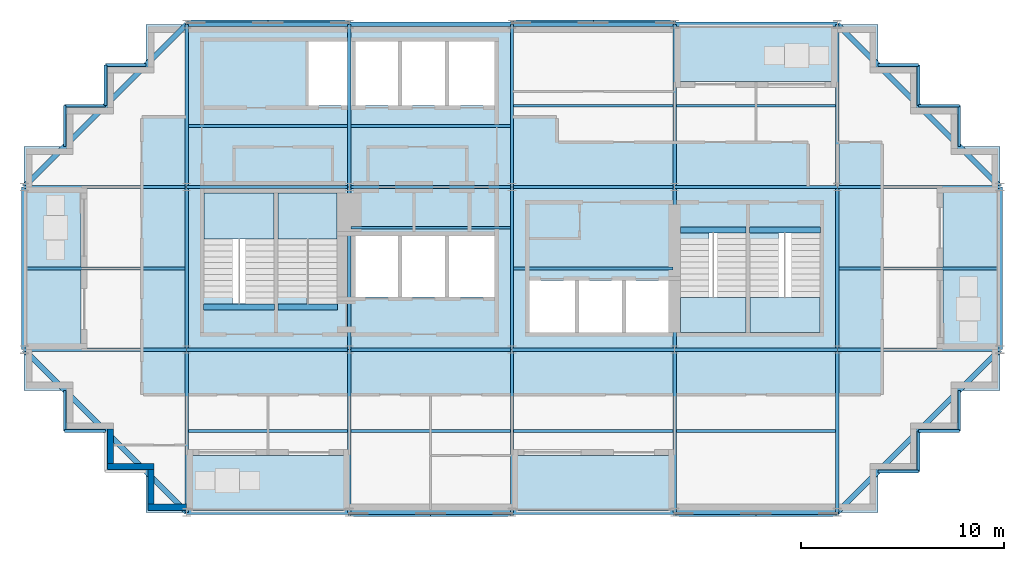
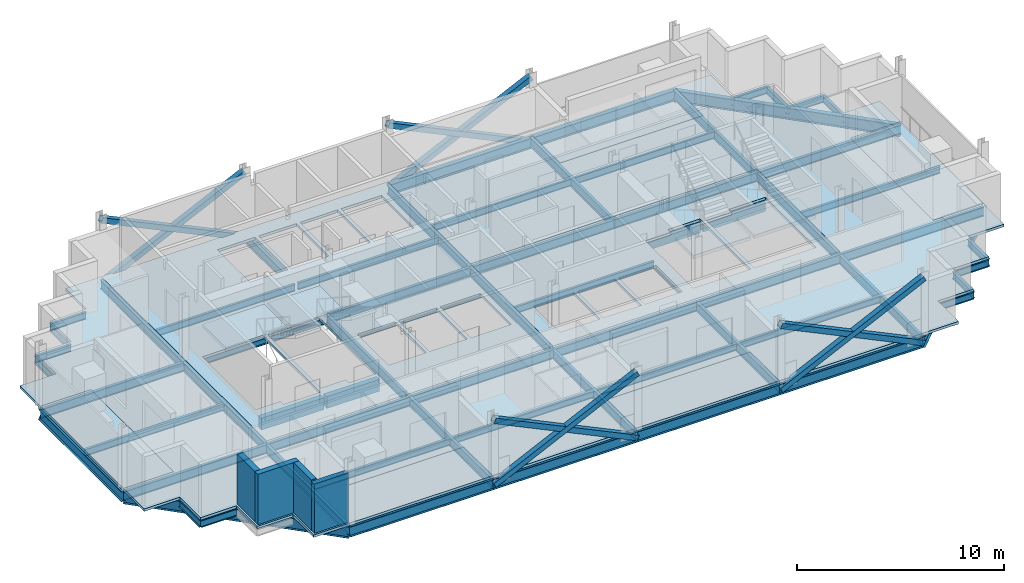
# One storey, part 3 of 10: 71 beams, 12 slabs, 8 members, 4 walls, 4 elements without a shape of their own.
"""IFC4 building model written with IfcOpenShell, lengths in metres."""

from ifc_helpers import new_model, si_unit, direction, frame, frame_2d, origin, origin_2d, place, context, subcontext, project, spatial, polyline, rectangle, hollow_rectangle, i_section, outline, extrude, material, layer, layer_set, material_profile, profile_set, type_object, element, aggregate, save


model = new_model("IFC4")

# Units and contexts
model_context = context("Model", 3, precision=1e-05, world=origin(), true_north=direction((0.0, 1.0)))
body_context = subcontext(model_context, "Body", "Model", "MODEL_VIEW")
ifc_project = project(units=[si_unit("LENGTHUNIT", "METRE"), si_unit("AREAUNIT", "SQUARE_METRE"), si_unit("VOLUMEUNIT", "CUBIC_METRE"), si_unit("PLANEANGLEUNIT", "RADIAN"), si_unit("MASSUNIT", "GRAM", prefix="KILO")], contexts=[model_context])

# Site, building, storey
site_placement = place(None, origin())
site = spatial("IfcSite", under=ifc_project, at=site_placement, CompositionType="ELEMENT")
building_placement = place(site_placement, origin())
building = spatial("IfcBuilding", under=site, at=building_placement, Name="Immortelle Media Tower", CompositionType="ELEMENT")
storey_placement = place(building_placement, frame((0.0, 0.0, 237.0)))
storey = spatial("IfcBuildingStorey", under=building, at=storey_placement, Name="L51", CompositionType="ELEMENT", Elevation=237.0)

# Members
ifc_material_1 = material(Name="Steel ASTM A500 Gr C", Category="steel")
ifc_material_profile_1 = material_profile(ifc_material_1, hollow_rectangle(XDim=0.304931640625, YDim=0.304931640625, WallThickness=0.011962890625, at=origin_2d()), Name="HSS12x12x1/2 brace")
ifc_profile_set_1 = profile_set([ifc_material_profile_1], Name="Steel ASTM A500 Gr C")
member_type = type_object("IfcMemberType", Name="HSS12x12x1/2 brace", PredefinedType="BRACE", material=ifc_profile_set_1)
for number, where, z_axis, x_axis, name in (
    (1, (16.0, -0.0625, -0.4560546875), (0.902569595965, 0.0, 0.430543986649), (0.0, 1.0, 0.0), "Brace A/3-4 A"),
    (2, (16.0, -0.0625, 3.360107421875), (0.902569595965, 0.0, -0.430543986649), (0.0, 1.0, 0.0), "Brace A/3-4 B"),
    (3, (32.0, -0.0625, -0.4560546875), (0.902569595965, 0.0, 0.430543986649), (0.0, 1.0, 0.0), "Brace A/5-6 A"),
    (4, (32.0, -0.0625, 3.360107421875), (0.902569595965, 0.0, -0.430543986649), (0.0, 1.0, 0.0), "Brace A/5-6 B"),
    (5, (32.0, 24.0625, -0.4560546875), (-0.902569595965, 0.0, 0.430543986649), (0.0, -1.0, 0.0), "Brace D/4-5 A"),
    (6, (32.0, 24.0625, 3.360107421875), (-0.902569595965, 0.0, -0.430543986649), (0.0, -1.0, 0.0), "Brace D/4-5 B"),
    (7, (16.0, 24.0625, -0.4560546875), (-0.902569595965, 0.0, 0.430543986649), (0.0, -1.0, 0.0), "Brace D/2-3 A"),
    (8, (16.0, 24.0625, 3.360107421875), (-0.902569595965, 0.0, -0.430543986649), (0.0, -1.0, 0.0), "Brace D/2-3 B"),
):
    element("IfcMember", number, at=place(storey_placement, frame(where, z_axis=z_axis, x_axis=x_axis)), inside=storey, type_object=member_type, Name=name, PredefinedType="BRACE", context=body_context, shape_type="SweptSolid", body=[
        extrude(hollow_rectangle(XDim=0.304931640625, YDim=0.304931640625, WallThickness=0.011962890625, at=origin_2d()), origin(), (0.0, 0.0, 1.0), 8.863525390625),
    ])

# Beams
ifc_material_2 = material(Name="Concrete C50/60", Category="concrete")
ifc_material_profile_2 = material_profile(ifc_material_2, rectangle(XDim=0.300048828125, YDim=0.699951171875, at=origin_2d()), Name="RC 300x700")
ifc_profile_set_2 = profile_set([ifc_material_profile_2], Name="Concrete C50/60")
beam_type_1 = type_object("IfcBeamType", Name="Stair trimmer beam 300 x 700", PredefinedType="BEAM", material=ifc_profile_set_2)
beam_1_placement = place(storey_placement, frame((8.830078125, 10.10498046875, -0.5), z_axis=(1.0, 0.0, 0.0), x_axis=(0.0, 1.0, 0.0)))
element("IfcBeam", 9, at=beam_1_placement, inside=storey, type_object=beam_type_1, Name="Stair trimmer beam SW1", PredefinedType="BEAM", context=body_context, shape_type="SweptSolid", body=[
    extrude(rectangle(XDim=0.300048828125, YDim=0.699951171875, at=origin_2d()), origin(), (0.0, 0.0, 1.0), 3.489990234375),
])
beam_2_placement = place(storey_placement, frame((12.47998046875, 10.10498046875, -0.5), z_axis=(1.0, 0.0, 0.0), x_axis=(0.0, 1.0, 0.0)))
element("IfcBeam", 10, at=beam_2_placement, inside=storey, type_object=beam_type_1, Name="Stair trimmer beam SW2", PredefinedType="BEAM", context=body_context, shape_type="SweptSolid", body=[
    extrude(rectangle(XDim=0.300048828125, YDim=0.699951171875, at=origin_2d()), origin(), (0.0, 0.0, 1.0), 2.93994140625),
])
beam_3_placement = place(storey_placement, frame((32.280029296875, 13.89501953125, -0.5), z_axis=(1.0, 0.0, 0.0), x_axis=(0.0, 1.0, 0.0)))
element("IfcBeam", 11, at=beam_3_placement, inside=storey, type_object=beam_type_1, Name="Stair trimmer beam SE1", PredefinedType="BEAM", context=body_context, shape_type="SweptSolid", body=[
    extrude(rectangle(XDim=0.300048828125, YDim=0.699951171875, at=origin_2d()), origin(), (0.0, 0.0, 1.0), 3.239990234375),
])
beam_4_placement = place(storey_placement, frame((35.679931640625, 13.89501953125, -0.5), z_axis=(1.0, 0.0, 0.0), x_axis=(0.0, 1.0, 0.0)))
element("IfcBeam", 12, at=beam_4_placement, inside=storey, type_object=beam_type_1, Name="Stair trimmer beam SE2", PredefinedType="BEAM", context=body_context, shape_type="SweptSolid", body=[
    extrude(rectangle(XDim=0.300048828125, YDim=0.699951171875, at=origin_2d()), origin(), (0.0, 0.0, 1.0), 3.489990234375),
])
ifc_material_3 = material(Name="Steel ASTM A992 Gr 50", Category="steel")
ifc_material_profile_3 = material_profile(ifc_material_3, i_section(OverallWidth=0.139892578125, OverallDepth=0.404052734375, WebThickness=0.007080078125, FlangeThickness=0.010986328125, at=origin_2d()), Name="W16x31")
ifc_profile_set_3 = profile_set([ifc_material_profile_3], Name="Steel ASTM A992 Gr 50")
beam_type_2 = type_object("IfcBeamType", Name="W16x31 secondary beam", PredefinedType="JOIST", material=ifc_profile_set_3)
for number, where, z_axis, x_axis, name in (
    (13, (8.08349609375, 4.0, -0.35205078125), (1.0, 0.0, 0.0), (0.0, 1.0, 0.0), "Beam A-B/2-3"),
    (14, (16.08349609375, 4.0, -0.35205078125), (1.0, 0.0, 0.0), (0.0, 1.0, 0.0), "Beam A-B/3-4"),
    (15, (24.08349609375, 4.0, -0.35205078125), (1.0, 0.0, 0.0), (0.0, 1.0, 0.0), "Beam A-B/4-5"),
    (16, (32.08349609375, 4.0, -0.35205078125), (1.0, 0.0, 0.0), (0.0, 1.0, 0.0), "Beam A-B/5-6"),
):
    element("IfcBeam", number, at=place(storey_placement, frame(where, z_axis=z_axis, x_axis=x_axis)), inside=storey, type_object=beam_type_2, Name=name, PredefinedType="JOIST", context=body_context, shape_type="SweptSolid", body=[
        extrude(i_section(OverallWidth=0.139892578125, OverallDepth=0.404052734375, WebThickness=0.007080078125, FlangeThickness=0.010986328125, at=origin_2d()), origin(), (0.0, 0.0, 1.0), 7.8330078125),
    ])
beam_5_placement = place(storey_placement, frame((0.114501953125, 12.0, -0.35205078125), z_axis=(1.0, 0.0, 0.0), x_axis=(0.0, 1.0, 0.0)))
element("IfcBeam", 17, at=beam_5_placement, inside=storey, type_object=beam_type_2, Name="Beam B-C/1-2", PredefinedType="JOIST", context=body_context, shape_type="SweptSolid", body=[
    extrude(i_section(OverallWidth=0.139892578125, OverallDepth=0.404052734375, WebThickness=0.007080078125, FlangeThickness=0.010986328125, at=origin_2d()), origin(), (0.0, 0.0, 1.0), 7.802001953125),
])
for number, where, z_axis, x_axis, name in (
    (18, (16.08349609375, 14.0, -0.35205078125), (1.0, 0.0, 0.0), (0.0, 1.0, 0.0), "Beam B-C/3-4"),
    (19, (24.08349609375, 12.0, -0.35205078125), (1.0, 0.0, 0.0), (0.0, 1.0, 0.0), "Beam B-C/4-5"),
):
    element("IfcBeam", number, at=place(storey_placement, frame(where, z_axis=z_axis, x_axis=x_axis)), inside=storey, type_object=beam_type_2, Name=name, PredefinedType="JOIST", context=body_context, shape_type="SweptSolid", body=[
        extrude(i_section(OverallWidth=0.139892578125, OverallDepth=0.404052734375, WebThickness=0.007080078125, FlangeThickness=0.010986328125, at=origin_2d()), origin(), (0.0, 0.0, 1.0), 7.8330078125),
    ])
beam_6_placement = place(storey_placement, frame((40.08349609375, 12.0, -0.35205078125), z_axis=(1.0, 0.0, 0.0), x_axis=(0.0, 1.0, 0.0)))
element("IfcBeam", 20, at=beam_6_placement, inside=storey, type_object=beam_type_2, Name="Beam B-C/6-7", PredefinedType="JOIST", context=body_context, shape_type="SweptSolid", body=[
    extrude(i_section(OverallWidth=0.139892578125, OverallDepth=0.404052734375, WebThickness=0.007080078125, FlangeThickness=0.010986328125, at=origin_2d()), origin(), (0.0, 0.0, 1.0), 7.802001953125),
])
for number, where, z_axis, x_axis, name in (
    (21, (8.08349609375, 19.0, -0.35205078125), (1.0, 0.0, 0.0), (0.0, 1.0, 0.0), "Beam C-D/2-3"),
    (22, (16.08349609375, 19.0, -0.35205078125), (1.0, 0.0, 0.0), (0.0, 1.0, 0.0), "Beam C-D/3-4"),
    (23, (24.08349609375, 20.0, -0.35205078125), (1.0, 0.0, 0.0), (0.0, 1.0, 0.0), "Beam C-D/4-5"),
    (24, (32.08349609375, 20.0, -0.35205078125), (1.0, 0.0, 0.0), (0.0, 1.0, 0.0), "Beam C-D/5-6"),
):
    element("IfcBeam", number, at=place(storey_placement, frame(where, z_axis=z_axis, x_axis=x_axis)), inside=storey, type_object=beam_type_2, Name=name, PredefinedType="JOIST", context=body_context, shape_type="SweptSolid", body=[
        extrude(i_section(OverallWidth=0.139892578125, OverallDepth=0.404052734375, WebThickness=0.007080078125, FlangeThickness=0.010986328125, at=origin_2d()), origin(), (0.0, 0.0, 1.0), 7.8330078125),
    ])
ifc_material_profile_4 = material_profile(ifc_material_3, i_section(OverallWidth=0.139892578125, OverallDepth=0.404052734375, WebThickness=0.007080078125, FlangeThickness=0.010986328125, at=origin_2d()), Name="W16x31")
ifc_profile_set_4 = profile_set([ifc_material_profile_4], Name="Steel ASTM A992 Gr 50")
beam_type_3 = type_object("IfcBeamType", Name="W16x31 serration edge beam", PredefinedType="SPANDREL", material=ifc_profile_set_4)
for number, where, z_axis, x_axis, name in (
    (25, (4.0, 4.0, -0.35205078125), (-1.0, 0.0, 0.0), (0.0, -1.0, 0.0), "Corner edge beam 3 at 1/A"),
    (26, (2.0, 4.0, -0.35205078125), (0.0, 1.0, 0.0), (-1.0, 0.0, 0.0), "Corner edge beam 4 at 1/A"),
    (27, (2.0, 18.0, -0.35205078125), (0.0, 1.0, 0.0), (-1.0, 0.0, 0.0), "Corner edge beam 1 at 1/D"),
    (28, (2.0, 20.0, -0.35205078125), (1.0, 0.0, 0.0), (0.0, 1.0, 0.0), "Corner edge beam 2 at 1/D"),
    (29, (4.0, 20.0, -0.35205078125), (0.0, 1.0, 0.0), (-1.0, 0.0, 0.0), "Corner edge beam 3 at 1/D"),
    (30, (4.0, 22.0, -0.35205078125), (1.0, 0.0, 0.0), (0.0, 1.0, 0.0), "Corner edge beam 4 at 1/D"),
    (31, (46.0, 6.0, -0.35205078125), (0.0, -1.0, 0.0), (1.0, 0.0, 0.0), "Corner edge beam 1 at 7/A"),
    (32, (46.0, 4.0, -0.35205078125), (-1.0, 0.0, 0.0), (0.0, -1.0, 0.0), "Corner edge beam 2 at 7/A"),
    (33, (44.0, 4.0, -0.35205078125), (0.0, -1.0, 0.0), (1.0, 0.0, 0.0), "Corner edge beam 3 at 7/A"),
    (34, (44.0, 2.0, -0.35205078125), (-1.0, 0.0, 0.0), (0.0, -1.0, 0.0), "Corner edge beam 4 at 7/A"),
    (35, (42.0, 22.0, -0.35205078125), (1.0, 0.0, 0.0), (0.0, 1.0, 0.0), "Corner edge beam 1 at 7/D"),
    (36, (44.0, 22.0, -0.35205078125), (0.0, -1.0, 0.0), (1.0, 0.0, 0.0), "Corner edge beam 2 at 7/D"),
    (37, (44.0, 20.0, -0.35205078125), (1.0, 0.0, 0.0), (0.0, 1.0, 0.0), "Corner edge beam 3 at 7/D"),
    (38, (46.0, 20.0, -0.35205078125), (0.0, -1.0, 0.0), (1.0, 0.0, 0.0), "Corner edge beam 4 at 7/D"),
):
    element("IfcBeam", number, at=place(storey_placement, frame(where, z_axis=z_axis, x_axis=x_axis)), inside=storey, type_object=beam_type_3, Name=name, PredefinedType="SPANDREL", context=body_context, shape_type="SweptSolid", body=[
        extrude(i_section(OverallWidth=0.139892578125, OverallDepth=0.404052734375, WebThickness=0.007080078125, FlangeThickness=0.010986328125, at=origin_2d()), origin(), (0.0, 0.0, 1.0), 2.0),
    ])
ifc_material_profile_5 = material_profile(ifc_material_3, i_section(OverallWidth=0.1669921875, OverallDepth=0.535888671875, WebThickness=0.010009765625, FlangeThickness=0.01708984375, at=origin_2d()), Name="W21x57")
ifc_profile_set_5 = profile_set([ifc_material_profile_5], Name="Steel ASTM A992 Gr 50")
beam_type_4 = type_object("IfcBeamType", Name="W21x57 girder", PredefinedType="BEAM", material=ifc_profile_set_5)
for number, where, z_axis, x_axis, name in (
    (39, (0.0, 8.0, -0.41796875), (1.0, 0.0, 0.0), (0.0, 1.0, 0.0), "Girder B/1-2"),
    (40, (0.0, 16.0, -0.41796875), (1.0, 0.0, 0.0), (0.0, 1.0, 0.0), "Girder C/1-2"),
    (41, (8.0, 0.0, -0.41796875), (0.0, 1.0, 0.0), (-1.0, 0.0, 0.0), "Girder 2/A-B"),
    (42, (8.0, 8.0, -0.41796875), (1.0, 0.0, 0.0), (0.0, 1.0, 0.0), "Girder B/2-3"),
    (43, (8.0, 8.0, -0.41796875), (0.0, 1.0, 0.0), (-1.0, 0.0, 0.0), "Girder 2/B-C"),
    (44, (8.0, 16.0, -0.41796875), (1.0, 0.0, 0.0), (0.0, 1.0, 0.0), "Girder C/2-3"),
    (45, (8.0, 16.0, -0.41796875), (0.0, 1.0, 0.0), (-1.0, 0.0, 0.0), "Girder 2/C-D"),
    (46, (16.0, 0.0, -0.41796875), (0.0, 1.0, 0.0), (-1.0, 0.0, 0.0), "Girder 3/A-B"),
    (47, (16.0, 8.0, -0.41796875), (1.0, 0.0, 0.0), (0.0, 1.0, 0.0), "Girder B/3-4"),
    (48, (16.0, 8.0, -0.41796875), (0.0, 1.0, 0.0), (-1.0, 0.0, 0.0), "Girder 3/B-C"),
    (49, (16.0, 16.0, -0.41796875), (1.0, 0.0, 0.0), (0.0, 1.0, 0.0), "Girder C/3-4"),
    (50, (16.0, 16.0, -0.41796875), (0.0, 1.0, 0.0), (-1.0, 0.0, 0.0), "Girder 3/C-D"),
    (51, (24.0, 0.0, -0.41796875), (0.0, 1.0, 0.0), (-1.0, 0.0, 0.0), "Girder 4/A-B"),
    (52, (24.0, 8.0, -0.41796875), (1.0, 0.0, 0.0), (0.0, 1.0, 0.0), "Girder B/4-5"),
    (53, (24.0, 8.0, -0.41796875), (0.0, 1.0, 0.0), (-1.0, 0.0, 0.0), "Girder 4/B-C"),
    (54, (24.0, 16.0, -0.41796875), (1.0, 0.0, 0.0), (0.0, 1.0, 0.0), "Girder C/4-5"),
    (55, (24.0, 16.0, -0.41796875), (0.0, 1.0, 0.0), (-1.0, 0.0, 0.0), "Girder 4/C-D"),
    (56, (32.0, 0.0, -0.41796875), (0.0, 1.0, 0.0), (-1.0, 0.0, 0.0), "Girder 5/A-B"),
    (57, (32.0, 8.0, -0.41796875), (1.0, 0.0, 0.0), (0.0, 1.0, 0.0), "Girder B/5-6"),
    (58, (32.0, 8.0, -0.41796875), (0.0, 1.0, 0.0), (-1.0, 0.0, 0.0), "Girder 5/B-C"),
    (59, (32.0, 16.0, -0.41796875), (1.0, 0.0, 0.0), (0.0, 1.0, 0.0), "Girder C/5-6"),
    (60, (32.0, 16.0, -0.41796875), (0.0, 1.0, 0.0), (-1.0, 0.0, 0.0), "Girder 5/C-D"),
    (61, (40.0, 0.0, -0.41796875), (0.0, 1.0, 0.0), (-1.0, 0.0, 0.0), "Girder 6/A-B"),
    (62, (40.0, 8.0, -0.41796875), (1.0, 0.0, 0.0), (0.0, 1.0, 0.0), "Girder B/6-7"),
    (63, (40.0, 8.0, -0.41796875), (0.0, 1.0, 0.0), (-1.0, 0.0, 0.0), "Girder 6/B-C"),
    (64, (40.0, 16.0, -0.41796875), (1.0, 0.0, 0.0), (0.0, 1.0, 0.0), "Girder C/6-7"),
    (65, (40.0, 16.0, -0.41796875), (0.0, 1.0, 0.0), (-1.0, 0.0, 0.0), "Girder 6/C-D"),
):
    element("IfcBeam", number, at=place(storey_placement, frame(where, z_axis=z_axis, x_axis=x_axis)), inside=storey, type_object=beam_type_4, Name=name, PredefinedType="BEAM", context=body_context, shape_type="SweptSolid", body=[
        extrude(i_section(OverallWidth=0.1669921875, OverallDepth=0.535888671875, WebThickness=0.010009765625, FlangeThickness=0.01708984375, at=origin_2d()), origin(), (0.0, 0.0, 1.0), 8.0),
    ])
ifc_material_profile_6 = material_profile(ifc_material_3, i_section(OverallWidth=0.22900390625, OverallDepth=0.612060546875, WebThickness=0.011962890625, FlangeThickness=0.02001953125, at=origin_2d()), Name="W24x84")
ifc_profile_set_6 = profile_set([ifc_material_profile_6], Name="Steel ASTM A992 Gr 50")
beam_type_5 = type_object("IfcBeamType", Name="W24x84 perimeter girder", PredefinedType="SPANDREL", material=ifc_profile_set_6)
for number, where, z_axis, x_axis, name in (
    (66, (0.0, 8.0, -0.4560546875), (0.0, 1.0, 0.0), (-1.0, 0.0, 0.0), "Girder 1/B-C"),
    (67, (8.0, 0.0, -0.4560546875), (1.0, 0.0, 0.0), (0.0, 1.0, 0.0), "Girder A/2-3"),
    (68, (8.0, 24.0, -0.4560546875), (1.0, 0.0, 0.0), (0.0, 1.0, 0.0), "Girder D/2-3"),
    (69, (16.0, 0.0, -0.4560546875), (1.0, 0.0, 0.0), (0.0, 1.0, 0.0), "Girder A/3-4"),
    (70, (16.0, 24.0, -0.4560546875), (1.0, 0.0, 0.0), (0.0, 1.0, 0.0), "Girder D/3-4"),
    (71, (24.0, 0.0, -0.4560546875), (1.0, 0.0, 0.0), (0.0, 1.0, 0.0), "Girder A/4-5"),
    (72, (24.0, 24.0, -0.4560546875), (1.0, 0.0, 0.0), (0.0, 1.0, 0.0), "Girder D/4-5"),
    (73, (32.0, 0.0, -0.4560546875), (1.0, 0.0, 0.0), (0.0, 1.0, 0.0), "Girder A/5-6"),
    (74, (32.0, 24.0, -0.4560546875), (1.0, 0.0, 0.0), (0.0, 1.0, 0.0), "Girder D/5-6"),
    (75, (48.0, 8.0, -0.4560546875), (0.0, 1.0, 0.0), (-1.0, 0.0, 0.0), "Girder 7/B-C"),
):
    element("IfcBeam", number, at=place(storey_placement, frame(where, z_axis=z_axis, x_axis=x_axis)), inside=storey, type_object=beam_type_5, Name=name, PredefinedType="SPANDREL", context=body_context, shape_type="SweptSolid", body=[
        extrude(i_section(OverallWidth=0.22900390625, OverallDepth=0.612060546875, WebThickness=0.011962890625, FlangeThickness=0.02001953125, at=origin_2d()), origin(), (0.0, 0.0, 1.0), 8.0),
    ])
ifc_material_profile_7 = material_profile(ifc_material_3, i_section(OverallWidth=0.2529296875, OverallDepth=0.677978515625, WebThickness=0.011962890625, FlangeThickness=0.01611328125, at=origin_2d()), Name="W27x84")
ifc_profile_set_7 = profile_set([ifc_material_profile_7], Name="Steel ASTM A992 Gr 50")
beam_type_6 = type_object("IfcBeamType", Name="W27x84 corner girder", PredefinedType="SPANDREL", material=ifc_profile_set_7)
for number, where, z_axis, x_axis, name in (
    (76, (8.0, 0.0, -0.489013671875), (-0.707106781187, 0.707106781187, 0.0), (-0.707106781187, -0.707106781187, 0.0), "Corner girder at 1/A"),
    (77, (0.0, 16.0, -0.489013671875), (0.707106781187, 0.707106781187, 0.0), (-0.707106781187, 0.707106781187, 0.0), "Corner girder at 1/D"),
    (78, (48.0, 8.0, -0.489013671875), (-0.707106781187, -0.707106781187, 0.0), (0.707106781187, -0.707106781187, 0.0), "Corner girder at 7/A"),
    (79, (40.0, 24.0, -0.489013671875), (0.707106781187, -0.707106781187, 0.0), (0.707106781187, 0.707106781187, 0.0), "Corner girder at 7/D"),
):
    element("IfcBeam", number, at=place(storey_placement, frame(where, z_axis=z_axis, x_axis=x_axis)), inside=storey, type_object=beam_type_6, Name=name, PredefinedType="SPANDREL", context=body_context, shape_type="SweptSolid", body=[
        extrude(i_section(OverallWidth=0.2529296875, OverallDepth=0.677978515625, WebThickness=0.011962890625, FlangeThickness=0.01611328125, at=origin_2d()), origin(), (0.0, 0.0, 1.0), 11.313720703125),
    ])

# Slabs
ifc_material_4 = material(Name="Concrete C50/60 composite deck", Category="concrete")
ifc_layer_1 = layer(ifc_material_4, 0.14990234375)
ifc_layer_set_1 = layer_set([ifc_layer_1], Name="Concrete C50/60 composite deck")
slab_type_1 = type_object("IfcSlabType", Name="Balcony slab 150", PredefinedType="FLOOR", material=ifc_layer_set_1)
slab_1_placement = place(storey_placement, frame((0.0, 0.0, -0.14990234375)))
element("IfcSlab", 80, at=slab_1_placement, inside=storey, type_object=slab_type_1, Name="Balcony slab L51 S0", PredefinedType="FLOOR", context=body_context, shape_type="SweptSolid", body=[
    extrude(outline(polyline([(16.0, 0.0), (16.0, 2.800048828125), (8.0, 2.800048828125), (8.0, 0.0), (16.0, 0.0)])), origin(), (0.0, 0.0, 1.0), 0.14990234375),
])
slab_2_placement = place(storey_placement, frame((0.0, 0.0, -0.14990234375)))
element("IfcSlab", 81, at=slab_2_placement, inside=storey, type_object=slab_type_1, Name="Balcony slab L51 S2", PredefinedType="FLOOR", context=body_context, shape_type="SweptSolid", body=[
    extrude(outline(polyline([(32.0, 0.0), (32.0, 2.800048828125), (24.0, 2.800048828125), (24.0, 0.0), (32.0, 0.0)])), origin(), (0.0, 0.0, 1.0), 0.14990234375),
])
slab_3_placement = place(storey_placement, frame((0.0, 0.0, -0.14990234375)))
element("IfcSlab", 82, at=slab_3_placement, inside=storey, type_object=slab_type_1, Name="Balcony slab L51 E0", PredefinedType="FLOOR", context=body_context, shape_type="SweptSolid", body=[
    extrude(outline(polyline([(48.0, 8.0), (48.0, 16.0), (45.199951171875, 16.0), (45.199951171875, 8.0), (48.0, 8.0)])), origin(), (0.0, 0.0, 1.0), 0.14990234375),
])
slab_4_placement = place(storey_placement, frame((0.0, 0.0, -0.14990234375)))
element("IfcSlab", 83, at=slab_4_placement, inside=storey, type_object=slab_type_1, Name="Balcony slab L51 N0", PredefinedType="FLOOR", context=body_context, shape_type="SweptSolid", body=[
    extrude(outline(polyline([(40.0, 21.199951171875), (40.0, 24.0), (32.0, 24.0), (32.0, 21.199951171875), (40.0, 21.199951171875)])), origin(), (0.0, 0.0, 1.0), 0.14990234375),
])
slab_5_placement = place(storey_placement, frame((0.0, 0.0, -0.14990234375)))
element("IfcSlab", 84, at=slab_5_placement, inside=storey, type_object=slab_type_1, Name="Balcony slab L51 W0", PredefinedType="FLOOR", context=body_context, shape_type="SweptSolid", body=[
    extrude(outline(polyline([(2.800048828125, 8.0), (2.800048828125, 16.0), (0.0, 16.0), (0.0, 8.0), (2.800048828125, 8.0)])), origin(), (0.0, 0.0, 1.0), 0.14990234375),
])
ifc_layer_2 = layer(ifc_material_2, 0.14990234375)
ifc_layer_set_2 = layer_set([ifc_layer_2], Name="Concrete C50/60")
slab_type_2 = type_object("IfcSlabType", Name="Composite floor slab 150", PredefinedType="FLOOR", material=ifc_layer_set_2)
slab_6_placement = place(storey_placement, frame((0.0, 0.0, -0.14990234375)))
element("IfcSlab", 85, at=slab_6_placement, inside=storey, type_object=slab_type_2, Name="Floor slab L51", PredefinedType="FLOOR", context=body_context, shape_type="SweptSolid", body=[
    extrude(outline(polyline([(6.0, 0.0), (6.0, 2.0), (4.0, 2.0), (4.0, 4.0), (2.0, 4.0), (2.0, 6.0), (0.0, 6.0), (0.0, 8.0), (2.800048828125, 8.0), (2.800048828125, 16.0), (0.0, 16.0), (0.0, 18.0), (2.0, 18.0), (2.0, 20.0), (4.0, 20.0), (4.0, 22.0), (6.0, 22.0), (6.0, 24.0), (8.0, 24.0), (8.0, 8.0), (24.0, 8.0), (40.0, 8.0), (40.0, 16.0), (24.0, 16.0), (24.0, 21.199951171875), (24.0, 24.0), (32.0, 24.0), (32.0, 21.199951171875), (40.0, 21.199951171875), (40.0, 24.0), (42.0, 24.0), (42.0, 22.0), (44.0, 22.0), (44.0, 20.0), (46.0, 20.0), (46.0, 18.0), (48.0, 18.0), (48.0, 16.0), (45.199951171875, 16.0), (45.199951171875, 8.0), (48.0, 8.0), (48.0, 6.0), (46.0, 6.0), (46.0, 4.0), (44.0, 4.0), (44.0, 2.0), (42.0, 2.0), (42.0, 0.0), (32.0, 0.0), (32.0, 2.800048828125), (24.0, 2.800048828125), (24.0, 0.0), (16.0, 0.0), (16.0, 2.800048828125), (8.0, 2.800048828125), (8.0, 0.0), (6.0, 0.0)])), origin(), (0.0, 0.0, 1.0), 0.14990234375),
])
ifc_layer_3 = layer(ifc_material_2, 0.14990234375)
ifc_layer_set_3 = layer_set([ifc_layer_3], Name="Concrete C50/60")
slab_type_3 = type_object("IfcSlabType", Name="Core floor slab 150", PredefinedType="FLOOR", material=ifc_layer_set_3)
slab_7_placement = place(storey_placement, frame((0.0, 0.0, -0.14990234375)))
element("IfcSlab", 86, at=slab_7_placement, inside=storey, type_object=slab_type_3, Name="Core floor SW", PredefinedType="FLOOR", context=body_context, shape_type="SweptSolid", body=[
    extrude(outline(polyline([(8.0, 8.0), (24.0, 8.0), (24.0, 24.0), (8.0, 24.0), (8.0, 8.0)]), holes=[polyline([(14.0, 20.0), (16.10009765625, 20.0), (16.10009765625, 23.14990234375), (14.0, 23.14990234375), (14.0, 20.0)]), polyline([(16.300048828125, 20.0), (18.39990234375, 20.0), (18.39990234375, 23.14990234375), (16.300048828125, 23.14990234375), (16.300048828125, 20.0)]), polyline([(18.60009765625, 20.0), (20.699951171875, 20.0), (20.699951171875, 23.14990234375), (18.60009765625, 23.14990234375), (18.60009765625, 20.0)]), polyline([(20.89990234375, 20.0), (23.14990234375, 20.0), (23.14990234375, 23.14990234375), (20.89990234375, 23.14990234375), (20.89990234375, 20.0)]), polyline([(16.300048828125, 10.60009765625), (18.39990234375, 10.60009765625), (18.39990234375, 13.60009765625), (16.300048828125, 13.60009765625), (16.300048828125, 10.60009765625)]), polyline([(18.60009765625, 10.60009765625), (20.699951171875, 10.60009765625), (20.699951171875, 13.60009765625), (18.60009765625, 13.60009765625), (18.60009765625, 10.60009765625)]), polyline([(20.89990234375, 10.60009765625), (23.14990234375, 10.60009765625), (23.14990234375, 13.60009765625), (20.89990234375, 13.60009765625), (20.89990234375, 10.60009765625)]), polyline([(8.85009765625, 15.699951171875), (12.300048828125, 15.699951171875), (12.300048828125, 10.27001953125), (10.25, 10.27001953125), (10.25, 10.56005859375), (8.85009765625, 10.56005859375), (8.85009765625, 15.699951171875)]), polyline([(12.5, 15.699951171875), (15.39990234375, 15.699951171875), (15.39990234375, 10.27001953125), (13.89990234375, 10.27001953125), (13.89990234375, 10.56005859375), (12.5, 10.56005859375), (12.5, 15.699951171875)])]), origin(), (0.0, 0.0, 1.0), 0.14990234375),
])
slab_8_placement = place(storey_placement, frame((0.0, 0.0, -0.14990234375)))
element("IfcSlab", 87, at=slab_8_placement, inside=storey, type_object=slab_type_3, Name="Core floor SE", PredefinedType="FLOOR", context=body_context, shape_type="SweptSolid", body=[
    extrude(outline(polyline([(24.0, 8.0), (40.0, 8.0), (40.0, 16.0), (24.0, 16.0), (24.0, 8.0)]), holes=[polyline([(24.85009765625, 8.85009765625), (27.10009765625, 8.85009765625), (27.10009765625, 11.39990234375), (24.85009765625, 11.39990234375), (24.85009765625, 8.85009765625)]), polyline([(27.300048828125, 8.85009765625), (29.39990234375, 8.85009765625), (29.39990234375, 11.39990234375), (27.300048828125, 11.39990234375), (27.300048828125, 8.85009765625)]), polyline([(29.60009765625, 8.85009765625), (31.699951171875, 8.85009765625), (31.699951171875, 11.39990234375), (29.60009765625, 11.39990234375), (29.60009765625, 8.85009765625)]), polyline([(35.5, 13.72998046875), (35.5, 8.85009765625), (32.300048828125, 8.85009765625), (32.300048828125, 13.43994140625), (33.699951171875, 13.43994140625), (33.699951171875, 13.72998046875), (35.5, 13.72998046875)]), polyline([(39.14990234375, 13.72998046875), (39.14990234375, 8.85009765625), (35.699951171875, 8.85009765625), (35.699951171875, 13.43994140625), (37.10009765625, 13.43994140625), (37.10009765625, 13.72998046875), (39.14990234375, 13.72998046875)])]), origin(), (0.0, 0.0, 1.0), 0.14990234375),
])

# Stair, slab
stair_type = type_object("IfcStairType", Name="Stair with flights", PredefinedType="DOUBLE_RETURN_STAIR", material=ifc_material_3)
stair_1_placement = place(storey_placement, origin())
stair_1 = element("IfcStair", 88, at=stair_1_placement, inside=storey, type_object=stair_type, Name="Exit stair SW1", PredefinedType="DOUBLE_RETURN_STAIR")
ifc_material_5 = material(Name="Steel ASTM A572 Gr 50", Category="steel")
ifc_layer_4 = layer(ifc_material_5, 0.199951171875)
ifc_layer_set_4 = layer_set([ifc_layer_4], Name="Steel ASTM A572 Gr 50")
slab_type_4 = type_object("IfcSlabType", Name="Stair landing 200", PredefinedType="LANDING", material=ifc_layer_set_4)
slab_9_placement = place(storey_placement, frame((0.0, 0.0, 1.713134765625)))
slab_9 = element("IfcSlab", 89, at=slab_9_placement, type_object=slab_type_4, Name="ST SW1 landing 1", PredefinedType="LANDING", context=body_context, shape_type="SweptSolid", body=[
    extrude(outline(polyline([(8.85009765625, 13.43994140625), (12.300048828125, 13.43994140625), (12.300048828125, 15.699951171875), (8.85009765625, 15.699951171875), (8.85009765625, 13.43994140625)])), origin(), (0.0, 0.0, 1.0), 0.199951171875),
])
aggregate(stair_1, [slab_9])

stair_2_placement = place(storey_placement, origin())
stair_2 = element("IfcStair", 90, at=stair_2_placement, inside=storey, type_object=stair_type, Name="Exit stair SW2", PredefinedType="DOUBLE_RETURN_STAIR")
slab_10_placement = place(storey_placement, frame((0.0, 0.0, 1.713134765625)))
slab_10 = element("IfcSlab", 91, at=slab_10_placement, type_object=slab_type_4, Name="ST SW2 landing 1", PredefinedType="LANDING", context=body_context, shape_type="SweptSolid", body=[
    extrude(outline(polyline([(12.5, 13.43994140625), (15.39990234375, 13.43994140625), (15.39990234375, 15.699951171875), (12.5, 15.699951171875), (12.5, 13.43994140625)])), origin(), (0.0, 0.0, 1.0), 0.199951171875),
])
aggregate(stair_2, [slab_10])

stair_3_placement = place(storey_placement, origin())
stair_3 = element("IfcStair", 92, at=stair_3_placement, inside=storey, type_object=stair_type, Name="Exit stair SE1", PredefinedType="DOUBLE_RETURN_STAIR")
slab_11_placement = place(storey_placement, frame((0.0, 0.0, 1.713134765625)))
slab_11 = element("IfcSlab", 93, at=slab_11_placement, type_object=slab_type_4, Name="ST SE1 landing 1", PredefinedType="LANDING", context=body_context, shape_type="SweptSolid", body=[
    extrude(outline(polyline([(32.300048828125, 8.85009765625), (35.5, 8.85009765625), (35.5, 10.56005859375), (32.300048828125, 10.56005859375), (32.300048828125, 8.85009765625)])), origin(), (0.0, 0.0, 1.0), 0.199951171875),
])
aggregate(stair_3, [slab_11])

stair_4_placement = place(storey_placement, origin())
stair_4 = element("IfcStair", 94, at=stair_4_placement, inside=storey, type_object=stair_type, Name="Exit stair SE2", PredefinedType="DOUBLE_RETURN_STAIR")
slab_12_placement = place(storey_placement, frame((0.0, 0.0, 1.713134765625)))
slab_12 = element("IfcSlab", 95, at=slab_12_placement, type_object=slab_type_4, Name="ST SE2 landing 1", PredefinedType="LANDING", context=body_context, shape_type="SweptSolid", body=[
    extrude(outline(polyline([(35.699951171875, 8.85009765625), (39.14990234375, 8.85009765625), (39.14990234375, 10.56005859375), (35.699951171875, 10.56005859375), (35.699951171875, 8.85009765625)])), origin(), (0.0, 0.0, 1.0), 0.199951171875),
])
aggregate(stair_4, [slab_12])

# Walls
ifc_material_6 = material(Name="Pale aluminium cladding panel", Category="aluminium")
ifc_layer_5 = layer(ifc_material_6, 0.030029296875)
ifc_material_7 = material(Name="Steel ASTM A653 SS Gr 50 stud frame with mineral wool", Category="steel")
ifc_layer_6 = layer(ifc_material_7, 0.257568359375)
ifc_material_8 = material(Name="Moisture-resistant gypsum board", Category="gypsum")
ifc_layer_7 = layer(ifc_material_8, 0.012451171875)
ifc_layer_set_5 = layer_set([ifc_layer_5, ifc_layer_6, ifc_layer_7], Name="Steel ASTM A653 SS Gr 50 stud frame with mineral wool")
wall_type = type_object("IfcWallType", Name="Facade wall 300", PredefinedType="SOLIDWALL", material=ifc_layer_set_5)
wall_1_placement = place(storey_placement, frame((4.25, 4.10009765625, 0.0), z_axis=(0.0, 0.0, 1.0), x_axis=(0.0, -1.0, 0.0)))
element("IfcWall", 96, at=wall_1_placement, inside=storey, type_object=wall_type, Name="Facade wall L51 W3", PredefinedType="SOLIDWALL", context=body_context, shape_type="SweptSolid", body=[
    extrude(rectangle(XDim=1.7001953125, YDim=0.300048828125, at=frame_2d((0.85009765625, 0.0))), origin(), (0.0, 0.0, 1.0), 2.968994140625),
])
wall_2_placement = place(storey_placement, frame((4.10009765625, 2.25, 0.0), z_axis=(0.0, 0.0, 1.0), x_axis=(1.0, 0.0, 0.0)))
element("IfcWall", 97, at=wall_2_placement, inside=storey, type_object=wall_type, Name="Facade wall L51 S4", PredefinedType="SOLIDWALL", context=body_context, shape_type="SweptSolid", body=[
    extrude(rectangle(XDim=2.2998046875, YDim=0.300048828125, at=frame_2d((1.14990234375, 0.0))), origin(), (0.0, 0.0, 1.0), 2.968994140625),
])
wall_3_placement = place(storey_placement, frame((6.25, 2.10009765625, 0.0), z_axis=(0.0, 0.0, 1.0), x_axis=(0.0, -1.0, 0.0)))
element("IfcWall", 98, at=wall_3_placement, inside=storey, type_object=wall_type, Name="Facade wall L51 W5", PredefinedType="SOLIDWALL", context=body_context, shape_type="SweptSolid", body=[
    extrude(rectangle(XDim=1.7001953125, YDim=0.300048828125, at=frame_2d((0.85009765625, 0.0))), origin(), (0.0, 0.0, 1.0), 2.968994140625),
])
wall_4_placement = place(storey_placement, frame((6.10009765625, 0.25, 0.0), z_axis=(0.0, 0.0, 1.0), x_axis=(1.0, 0.0, 0.0)))
element("IfcWall", 99, at=wall_4_placement, inside=storey, type_object=wall_type, Name="Facade wall L51 S6", PredefinedType="SOLIDWALL", context=body_context, shape_type="SweptSolid", body=[
    extrude(rectangle(XDim=1.89990234375, YDim=0.300048828125, at=frame_2d((0.949951171875, 0.0))), origin(), (0.0, 0.0, 1.0), 2.889892578125),
])

save(model, "model.ifc")
